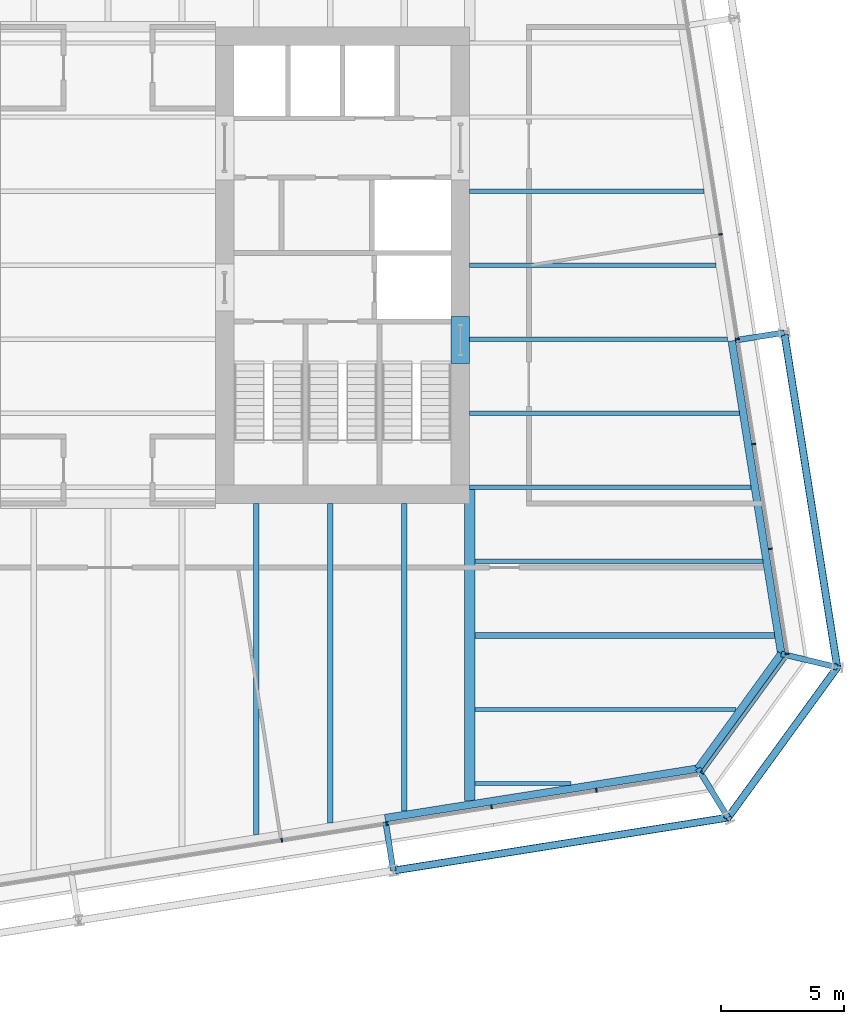
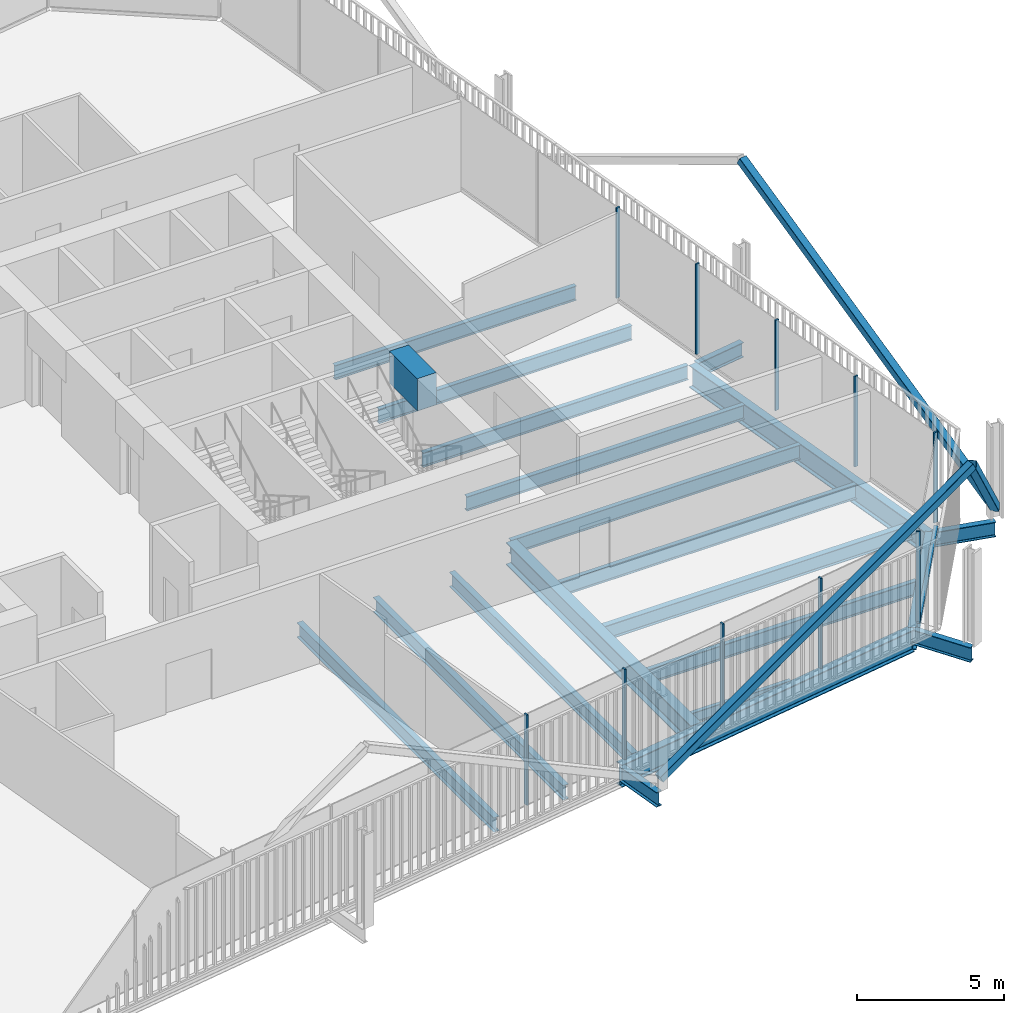
# One storey, part 8 of 22: 21 beams, 14 members, 3 elements without a shape of their own.
"""IFC4 building model written with IfcOpenShell, lengths in metres."""

import ifcopenshell
import ifcopenshell.guid

model = None  # the IFC model being written
_history = None  # IfcOwnerHistory: only IFC2X3 demands one
_inside = {}  # id of a spatial element -> (the spatial element, [elements in it])
_under = {}  # id of a project, library or spatial element -> (it, [spatial elements below it])
_declared = {}  # id of a project -> (the project, [libraries it declares])
_typed = {}  # id of a type object -> (the type object, [elements of that type])
_made_of = {}  # id of a material, layer set ... -> (it, [elements and type objects made of it])


def new_model(schema):
    """Start an empty IFC model of exactly this schema.

    Asked for "IFC4X3", IfcOpenShell would pick the latest addendum, in which some entities
    have other attributes; the version numbers below select the first issue.
    IFC2X3 requires an IfcOwnerHistory on every rooted entity: one is made here for all.
    """
    global model, _history
    if schema == "IFC4X3":
        model = ifcopenshell.file(schema_version=(4, 3, 0, 0))
    else:
        model = ifcopenshell.file(schema=schema)
    _inside.clear()
    _under.clear()
    _declared.clear()
    _typed.clear()
    _made_of.clear()
    _history = None
    if model.schema == "IFC2X3":
        org = make("IfcOrganization", Name="unknown")
        user = make(
            "IfcPersonAndOrganization",
            ThePerson=make("IfcPerson", FamilyName="unknown"),
            TheOrganization=org,
        )
        app = make(
            "IfcApplication",
            ApplicationDeveloper=org,
            Version="unknown",
            ApplicationFullName="unknown",
            ApplicationIdentifier="unknown",
        )
        _history = make(
            "IfcOwnerHistory",
            OwningUser=user,
            OwningApplication=app,
            ChangeAction="ADDED",
            CreationDate=0,
        )
    return model


def make(cls, **values):
    """One entity of the class cls with the attributes given. An attribute that is None is left unset."""
    return model.create_entity(
        cls, **{name: value for name, value in values.items() if value is not None}
    )


def rooted(cls, **values):
    """An entity with a GlobalId (a new one), such as an element, a storey or a relation."""
    return make(cls, GlobalId=ifcopenshell.guid.new(), OwnerHistory=_history, **values)


def si_unit(unit_type, name, prefix=None):
    """IfcSIUnit, for example si_unit("LENGTHUNIT", "METRE", prefix="MILLI")."""
    return make("IfcSIUnit", UnitType=unit_type, Prefix=prefix, Name=name)


def assignment(units):
    """IfcUnitAssignment: the units of a project."""
    return None if units is None else make("IfcUnitAssignment", Units=units)


def point(xyz):
    """IfcCartesianPoint."""
    return None if xyz is None else make("IfcCartesianPoint", Coordinates=xyz)


def direction(xyz):
    """IfcDirection."""
    return None if xyz is None else make("IfcDirection", DirectionRatios=xyz)


def frame(location, z_axis=None, x_axis=None):
    """IfcAxis2Placement3D, a coordinate frame: its origin and axes. An axis left out is left unset."""
    return make(
        "IfcAxis2Placement3D",
        Location=point(location),
        Axis=direction(z_axis),
        RefDirection=direction(x_axis),
    )


def frame_2d(location, x_axis=None):
    """IfcAxis2Placement2D, a coordinate frame in the plane: its origin and x axis."""
    return make(
        "IfcAxis2Placement2D", Location=point(location), RefDirection=direction(x_axis)
    )


def origin():
    """The frame at (0, 0, 0) with its axes left unset."""
    return frame((0.0, 0.0, 0.0))


def origin_2d():
    """The frame at (0, 0) in the plane with its x axis left unset."""
    return frame_2d((0.0, 0.0))


def place(relative_to, where):
    """IfcLocalPlacement: puts the frame where relative to a parent placement (None: the world)."""
    return make(
        "IfcLocalPlacement", PlacementRelTo=relative_to, RelativePlacement=where
    )


def context(
    kind, dimensions, precision=None, world=None, true_north=None, identifier=None
):
    """IfcGeometricRepresentationContext, for example the 3D "Model" context."""
    return make(
        "IfcGeometricRepresentationContext",
        ContextIdentifier=identifier,
        ContextType=kind,
        CoordinateSpaceDimension=dimensions,
        Precision=precision,
        WorldCoordinateSystem=world,
        TrueNorth=true_north,
    )


def subcontext(parent, identifier, kind, view, scale=None):
    """IfcGeometricRepresentationSubContext, for example "Body" below "Model"."""
    return make(
        "IfcGeometricRepresentationSubContext",
        ContextIdentifier=identifier,
        ContextType=kind,
        ParentContext=parent,
        TargetScale=scale,
        TargetView=view,
    )


def project(units=None, contexts=None):
    """IfcProject with its units and contexts."""
    return rooted(
        "IfcProject",
        Name="project",
        RepresentationContexts=contexts,
        UnitsInContext=assignment(units),
    )


def spatial(cls, under=None, at=None, **own):
    """A site, building, storey or space (cls), placed at a placement, below another one or the project."""
    s = rooted(cls, ObjectPlacement=at, **own)
    if under is not None:
        _under.setdefault(under.id(), (under, []))[1].append(s)
    return s


def profile(cls, at=None, kind="AREA", **sizes):
    """A parametric profile (cls). Its sizes go by their IFC names, for example OverallWidth=200.0."""
    return make(cls, ProfileType=kind, Position=at, **sizes)


def rectangle(**sizes):
    """IfcRectangleProfileDef."""
    return profile("IfcRectangleProfileDef", **sizes)


def hollow_rectangle(**sizes):
    """IfcRectangleHollowProfileDef."""
    return profile("IfcRectangleHollowProfileDef", **sizes)


def i_section(**sizes):
    """IfcIShapeProfileDef."""
    return profile("IfcIShapeProfileDef", **sizes)


def extrude(swept, where, along, depth):
    """IfcExtrudedAreaSolid: the profile swept, set in the frame where, extruded along a direction by depth."""
    return make(
        "IfcExtrudedAreaSolid",
        SweptArea=swept,
        Position=where,
        ExtrudedDirection=direction(along),
        Depth=depth,
    )


def shape(context_of_items, identifier, shape_type, items):
    """IfcShapeRepresentation: the items that make up one representation, for example the "Body"."""
    return make(
        "IfcShapeRepresentation",
        ContextOfItems=context_of_items,
        RepresentationIdentifier=identifier,
        RepresentationType=shape_type,
        Items=items,
    )


def material(Name=None, Category=None):
    """IfcMaterial."""
    return make("IfcMaterial", Name=Name, Category=Category)


def layer(
    of_material, thickness, ventilated=None, Name=None, Category=None, Priority=None
):
    """IfcMaterialLayer: one layer of a wall or slab, of a material (None: an air gap)."""
    return make(
        "IfcMaterialLayer",
        Material=of_material,
        LayerThickness=thickness,
        IsVentilated=ventilated,
        Name=Name,
        Category=Category,
        Priority=Priority,
    )


def layer_set(layers, Name=None):
    """IfcMaterialLayerSet."""
    return make("IfcMaterialLayerSet", MaterialLayers=layers, LayerSetName=Name)


def material_profile(
    of_material, cross_section, Name=None, Category=None, Priority=None
):
    """IfcMaterialProfile: a cross section and its material."""
    return make(
        "IfcMaterialProfile",
        Name=Name,
        Material=of_material,
        Profile=cross_section,
        Priority=Priority,
        Category=Category,
    )


def profile_set(profiles, Name=None, composite=None):
    """IfcMaterialProfileSet."""
    return make(
        "IfcMaterialProfileSet",
        Name=Name,
        MaterialProfiles=profiles,
        CompositeProfile=composite,
    )


def made_of(thing, what):
    """Note that an element or type object is made of a material, layer set ...; save() writes the relation."""
    if what is not None:
        _made_of.setdefault(what.id(), (what, []))[1].append(thing)
    return thing


def type_object(cls, material=None, **own):
    """A type object (cls), such as IfcWallType, which elements share."""
    return made_of(rooted(cls, **own), material)


def element(
    cls,
    number,
    at=None,
    inside=None,
    cuts=None,
    type_object=None,
    material=None,
    context=None,
    identifier="Body",
    shape_type=None,
    held_by="IfcProductDefinitionShape",
    body=None,
    shapes=None,
    **own,
):
    """One element of the class cls, such as IfcWall. Its Tag is "e" and its number.

    at: its placement. inside: the storey or other place that contains it. cuts: it is an
    opening in that element (IfcRelVoidsElement). A single representation is given by context,
    identifier, shape_type and body (its items); several are given by shapes. held_by: the class
    of the entity that holds the representations. save() writes the other relations.
    """
    e = rooted(cls, Tag="e%d" % number, ObjectPlacement=at, **own)
    if body is not None:
        shapes = [shape(context, identifier, shape_type, body)]
    if shapes is not None:
        e.Representation = make(held_by, Representations=shapes)
    if inside is not None:
        _inside.setdefault(inside.id(), (inside, []))[1].append(e)
    if cuts is not None:
        rooted(
            "IfcRelVoidsElement", RelatingBuildingElement=cuts, RelatedOpeningElement=e
        )
    if type_object is not None:
        _typed.setdefault(type_object.id(), (type_object, []))[1].append(e)
    return made_of(e, material)


def aggregate(whole, parts):
    """IfcRelAggregates: a whole, such as a stair, and the parts it consists of."""
    return rooted("IfcRelAggregates", RelatingObject=whole, RelatedObjects=parts)


def save(model, path):
    """Write the relations noted so far, then the file.

    IfcRelAggregates (storeys below a building ...), IfcRelContainedInSpatialStructure (elements
    in a storey), IfcRelDefinesByType, IfcRelAssociatesMaterial and IfcRelDeclares: one each for
    every whole, place, type object, material and project.
    """
    for whole, parts in _under.values():
        aggregate(whole, parts)
    for where, things in _inside.values():
        rooted(
            "IfcRelContainedInSpatialStructure",
            RelatedElements=things,
            RelatingStructure=where,
        )
    for kind, things in _typed.values():
        rooted("IfcRelDefinesByType", RelatedObjects=things, RelatingType=kind)
    for what, things in _made_of.values():
        rooted("IfcRelAssociatesMaterial", RelatedObjects=things, RelatingMaterial=what)
    for by, libraries in _declared.values():
        rooted("IfcRelDeclares", RelatingContext=by, RelatedDefinitions=libraries)
    model.write(path)


model = new_model("IFC4")

# Units and contexts
model_context = context("Model", 3, precision=1e-05, world=origin(), true_north=direction((0.0, 1.0)))
body_context = subcontext(model_context, "Body", "Model", "MODEL_VIEW")
ifc_project = project(units=[si_unit("LENGTHUNIT", "METRE"), si_unit("AREAUNIT", "SQUARE_METRE"), si_unit("VOLUMEUNIT", "CUBIC_METRE"), si_unit("PLANEANGLEUNIT", "RADIAN"), si_unit("MASSUNIT", "GRAM", prefix="KILO")], contexts=[model_context])

# Site, building, storey
site_placement = place(None, origin())
site = spatial("IfcSite", under=ifc_project, at=site_placement, CompositionType="ELEMENT")
building_placement = place(site_placement, origin())
building = spatial("IfcBuilding", under=site, at=building_placement, Name="Millrace Tower", CompositionType="ELEMENT")
storey_placement = place(building_placement, frame((0.0, 0.0, 187.800048828125)))
storey = spatial("IfcBuildingStorey", under=building, at=storey_placement, Name="L42", CompositionType="ELEMENT", Elevation=187.800048828125)

# Curtain wall, members
ifc_material_1 = material(Name="Aluminium and glass", Category="aluminium")
ifc_layer = layer(ifc_material_1, 0.14990234375)
ifc_layer_set = layer_set([ifc_layer], Name="Aluminium and glass")
curtain_wall_type = type_object("IfcCurtainWallType", Name="CW-1 office vision curtain wall", PredefinedType="NOTDEFINED", material=ifc_layer_set)
placement = place(storey_placement, origin())
curtain_wall_1 = element("IfcCurtainWall", 1, at=placement, inside=storey, type_object=curtain_wall_type, Name="Curtain wall C-F02 L42", PredefinedType="NOTDEFINED")
ifc_material_2 = material(Name="Aluminium", Category="aluminium")
ifc_material_profile_1 = material_profile(ifc_material_2, rectangle(XDim=0.06494140625, YDim=0.14990234375, at=origin_2d()))
ifc_profile_set_1 = profile_set([ifc_material_profile_1], Name="Aluminium")
member_type_1 = type_object("IfcMemberType", Name="CW-1 office vision curtain wall mullion", PredefinedType="MULLION", material=ifc_profile_set_1)
member_1_placement = place(storey_placement, frame((7.04345703125, -23.293212890625, 0.139892578125), z_axis=(0.0, 0.0, 1.0), x_axis=(0.98768833929, 0.15643447328, 0.0)))
member_1 = element("IfcMember", 2, at=member_1_placement, type_object=member_type_1, Name="CW1 mullion C-F02.6", PredefinedType="MULLION", context=body_context, shape_type="SweptSolid", body=[
    extrude(rectangle(XDim=0.06494140625, YDim=0.14990234375, at=origin_2d()), origin(), (0.0, 0.0, 1.0), 3.760009765625),
])
member_2_placement = place(storey_placement, frame((11.29052734375, -22.62060546875, 0.139892578125), z_axis=(0.0, 0.0, 1.0), x_axis=(0.98768833929, 0.15643447328, 0.0)))
member_2 = element("IfcMember", 3, at=member_2_placement, type_object=member_type_1, Name="CW1 mullion C-F02.7", PredefinedType="MULLION", context=body_context, shape_type="SweptSolid", body=[
    extrude(rectangle(XDim=0.06494140625, YDim=0.14990234375, at=origin_2d()), origin(), (0.0, 0.0, 1.0), 3.760009765625),
])
member_3_placement = place(storey_placement, frame((15.53759765625, -21.947998046875, 0.139892578125), z_axis=(0.0, 0.0, 1.0), x_axis=(0.98768833929, 0.15643447328, 0.0)))
member_3 = element("IfcMember", 4, at=member_3_placement, type_object=member_type_1, Name="CW1 mullion C-F02.8", PredefinedType="MULLION", context=body_context, shape_type="SweptSolid", body=[
    extrude(rectangle(XDim=0.06494140625, YDim=0.14990234375, at=origin_2d()), origin(), (0.0, 0.0, 1.0), 3.760009765625),
])
member_4_placement = place(storey_placement, frame((19.78466796875, -21.275390625, 0.139892578125), z_axis=(0.0, 0.0, 1.0), x_axis=(0.98768833929, 0.15643447328, 0.0)))
member_4 = element("IfcMember", 5, at=member_4_placement, type_object=member_type_1, Name="CW1 mullion C-F02.9", PredefinedType="MULLION", context=body_context, shape_type="SweptSolid", body=[
    extrude(rectangle(XDim=0.06494140625, YDim=0.14990234375, at=origin_2d()), origin(), (0.0, 0.0, 1.0), 3.760009765625),
])
aggregate(curtain_wall_1, [member_1, member_2, member_3, member_4])

# Curtain wall, member
curtain_wall_2 = element("IfcCurtainWall", 6, at=placement, inside=storey, type_object=curtain_wall_type, Name="Curtain wall C-F03 L42", PredefinedType="NOTDEFINED")
member_5_placement = place(storey_placement, frame((24.06787109375, -20.551513671875, 0.139892578125), z_axis=(0.0, 0.0, 1.0), x_axis=(0.587785269844, 0.809016981623, 0.0)))
member_5 = element("IfcMember", 7, at=member_5_placement, type_object=member_type_1, Name="CW1 mullion C-F03.1", PredefinedType="MULLION", context=body_context, shape_type="SweptSolid", body=[
    extrude(rectangle(XDim=0.06494140625, YDim=0.14990234375, at=origin_2d()), origin(), (0.0, 0.0, 1.0), 3.760009765625),
])

# Curtain wall, members
curtain_wall_3 = element("IfcCurtainWall", 8, at=placement, inside=storey, type_object=curtain_wall_type, Name="Curtain wall C-F04 L42", PredefinedType="NOTDEFINED")
member_6_placement = place(storey_placement, frame((27.506591796875, -15.74169921875, 0.139892578125), z_axis=(0.0, 0.0, 1.0), x_axis=(-0.15643447328, 0.98768833929, 0.0)))
member_6 = element("IfcMember", 9, at=member_6_placement, type_object=member_type_1, Name="CW1 mullion C-F04.1", PredefinedType="MULLION", context=body_context, shape_type="SweptSolid", body=[
    extrude(rectangle(XDim=0.06494140625, YDim=0.14990234375, at=origin_2d()), origin(), (0.0, 0.0, 1.0), 3.760009765625),
])
member_7_placement = place(storey_placement, frame((26.833984375, -11.49462890625, 0.139892578125), z_axis=(0.0, 0.0, 1.0), x_axis=(-0.15643447328, 0.98768833929, 0.0)))
member_7 = element("IfcMember", 10, at=member_7_placement, type_object=member_type_1, Name="CW1 mullion C-F04.2", PredefinedType="MULLION", context=body_context, shape_type="SweptSolid", body=[
    extrude(rectangle(XDim=0.06494140625, YDim=0.14990234375, at=origin_2d()), origin(), (0.0, 0.0, 1.0), 3.760009765625),
])
member_8_placement = place(storey_placement, frame((26.161376953125, -7.24755859375, 0.139892578125), z_axis=(0.0, 0.0, 1.0), x_axis=(-0.15643447328, 0.98768833929, 0.0)))
member_8 = element("IfcMember", 11, at=member_8_placement, type_object=member_type_1, Name="CW1 mullion C-F04.3", PredefinedType="MULLION", context=body_context, shape_type="SweptSolid", body=[
    extrude(rectangle(XDim=0.06494140625, YDim=0.14990234375, at=origin_2d()), origin(), (0.0, 0.0, 1.0), 3.760009765625),
])
member_9_placement = place(storey_placement, frame((25.48876953125, -3.00048828125, 0.139892578125), z_axis=(0.0, 0.0, 1.0), x_axis=(-0.15643447328, 0.98768833929, 0.0)))
member_9 = element("IfcMember", 12, at=member_9_placement, type_object=member_type_1, Name="CW1 mullion C-F04.4", PredefinedType="MULLION", context=body_context, shape_type="SweptSolid", body=[
    extrude(rectangle(XDim=0.06494140625, YDim=0.14990234375, at=origin_2d()), origin(), (0.0, 0.0, 1.0), 3.760009765625),
])
member_10_placement = place(storey_placement, frame((24.81591796875, 1.24658203125, 0.139892578125), z_axis=(0.0, 0.0, 1.0), x_axis=(-0.15643447328, 0.98768833929, 0.0)))
member_10 = element("IfcMember", 13, at=member_10_placement, type_object=member_type_1, Name="CW1 mullion C-F04.5", PredefinedType="MULLION", context=body_context, shape_type="SweptSolid", body=[
    extrude(rectangle(XDim=0.06494140625, YDim=0.14990234375, at=origin_2d()), origin(), (0.0, 0.0, 1.0), 3.760009765625),
])
aggregate(curtain_wall_3, [member_6, member_7, member_8, member_9, member_10])

# Member
ifc_material_3 = material(Name="Aluminium", Category="aluminium")
ifc_material_profile_2 = material_profile(ifc_material_3, rectangle(XDim=0.14990234375, YDim=0.139892578125, at=origin_2d()))
ifc_profile_set_2 = profile_set([ifc_material_profile_2], Name="Aluminium")
member_type_2 = type_object("IfcMemberType", Name="CW-1 office vision curtain wall transom", PredefinedType="USERDEFINED", material=ifc_profile_set_2)
member_11_placement = place(storey_placement, frame((24.107421875, -20.496826171875, 0.070068359375), z_axis=(0.587810581339, 0.808998591139, 0.0), x_axis=(-0.808998591139, 0.587810581339, 0.0)))
member_11 = element("IfcMember", 14, at=member_11_placement, type_object=member_type_2, Name="CW1 transom C-F03.1", ObjectType="TRANSOM", PredefinedType="USERDEFINED", context=body_context, shape_type="SweptSolid", body=[
    extrude(rectangle(XDim=0.14990234375, YDim=0.139892578125, at=origin_2d()), origin(), (0.0, 0.0, 1.0), 5.6689453125),
])

aggregate(curtain_wall_2, [member_5, member_11])

# Beam
ifc_material_4 = material(Name="Concrete C70", Category="concrete")
ifc_material_profile_3 = material_profile(ifc_material_4, rectangle(XDim=0.75, YDim=1.340087890625, at=origin_2d()))
ifc_profile_set_3 = profile_set([ifc_material_profile_3], Name="Concrete C70")
beam_type_1 = type_object("IfcBeamType", Name="Coupling beam 750 x 1340 Concrete C70, 1300 opening", PredefinedType="BEAM", material=ifc_profile_set_3)
beam_1_placement = place(storey_placement, frame((14.27490234375, -2.080078125, 3.070068359375), z_axis=(0.0, -1.0, 0.0), x_axis=(1.0, 0.0, 0.0)))
element("IfcBeam", 15, at=beam_1_placement, inside=storey, type_object=beam_type_1, Name="Coupling beam E L42", PredefinedType="BEAM", context=body_context, shape_type="SweptSolid", body=[
    extrude(rectangle(XDim=0.75, YDim=1.340087890625, at=origin_2d()), origin(), (0.0, 0.0, 1.0), 1.89990234375),
])

# Members
ifc_material_5 = material(Name="Steel ASTM A500 Grade C", Category="steel")
ifc_material_profile_4 = material_profile(ifc_material_5, hollow_rectangle(XDim=0.3046875, YDim=0.3046875, WallThickness=0.0126953125, InnerFilletRadius=0.00634765625, OuterFilletRadius=0.01904296875, at=origin_2d()))
ifc_profile_set_4 = profile_set([ifc_material_profile_4], Name="Steel ASTM A500 Grade C")
member_type_3 = type_object("IfcMemberType", Name="Exoskeleton brace HSS12x12x1/2", PredefinedType="BRACE", material=ifc_profile_set_4)
member_12_placement = place(storey_placement, frame((11.5595703125, -24.527099609375, 0.39990234375), z_axis=(0.879908188937, 0.139368965396, 0.454244285078), x_axis=(-0.156440158434, 0.987687438833, 0.0)))
element("IfcMember", 16, at=member_12_placement, inside=storey, type_object=member_type_3, Name="BRC-C-L42-04", PredefinedType="BRACE", context=body_context, shape_type="SweptSolid", body=[
    extrude(hollow_rectangle(XDim=0.3046875, YDim=0.3046875, WallThickness=0.0126953125, InnerFilletRadius=0.00634765625, OuterFilletRadius=0.01904296875, at=origin_2d()), origin(), (0.0, 0.0, 1.0), 15.41015625),
])
member_13_placement = place(storey_placement, frame((29.542724609375, -16.291015625, 0.39990234375), z_axis=(-0.430395153162, -0.592372334541, 0.681069034243), x_axis=(0.809009551985, -0.587795495726, 0.0)))
element("IfcMember", 17, at=member_13_placement, inside=storey, type_object=member_type_3, Name="BRC-C-L42-05", PredefinedType="BRACE", context=body_context, shape_type="SweptSolid", body=[
    extrude(hollow_rectangle(XDim=0.3046875, YDim=0.3046875, WallThickness=0.0126953125, InnerFilletRadius=0.00634765625, OuterFilletRadius=0.01904296875, at=origin_2d()), origin(), (0.0, 0.0, 1.0), 10.278076171875),
])
member_14_placement = place(storey_placement, frame((29.542724609375, -16.291015625, 0.39990234375), z_axis=(-0.139368965396, 0.879908188937, 0.454244285078), x_axis=(-0.987687438833, -0.156440158434, 0.0)))
element("IfcMember", 18, at=member_14_placement, inside=storey, type_object=member_type_3, Name="BRC-C-L42-06", PredefinedType="BRACE", context=body_context, shape_type="SweptSolid", body=[
    extrude(hollow_rectangle(XDim=0.3046875, YDim=0.3046875, WallThickness=0.0126953125, InnerFilletRadius=0.00634765625, OuterFilletRadius=0.01904296875, at=origin_2d()), origin(), (0.0, 0.0, 1.0), 15.41015625),
])

# Beams
ifc_material_6 = material(Name="Steel ASTM A992 Grade 50", Category="steel")
ifc_material_profile_5 = material_profile(ifc_material_6, i_section(OverallWidth=0.15234375, OverallDepth=0.449462890625, WebThickness=0.007568359375, FlangeThickness=0.0107421875, FilletRadius=0.01025390625, at=origin_2d()))
ifc_profile_set_5 = profile_set([ifc_material_profile_5], Name="Steel ASTM A992 Grade 50")
beam_type_2 = type_object("IfcBeamType", Name="Floor beam W18x35", PredefinedType="JOIST", material=ifc_profile_set_5)
beam_2_placement = place(storey_placement, frame((14.859619140625, -21.0, -0.384765625), z_axis=(1.0, 0.0, 0.0), x_axis=(0.0, 1.0, 0.0)))
element("IfcBeam", 19, at=beam_2_placement, inside=storey, type_object=beam_type_2, Name="BM-C-L42-S1-S003", PredefinedType="JOIST", context=body_context, shape_type="SweptSolid", body=[
    extrude(i_section(OverallWidth=0.15234375, OverallDepth=0.449462890625, WebThickness=0.007568359375, FlangeThickness=0.0107421875, FilletRadius=0.01025390625, at=origin_2d()), origin(), (0.0, 0.0, 1.0), 3.9033203125),
])
ifc_material_7 = material(Name="Steel ASTM A992 Grade 50", Category="steel")
ifc_material_profile_6 = material_profile(ifc_material_7, i_section(OverallWidth=0.177978515625, OverallDepth=0.599365234375, WebThickness=0.010009765625, FlangeThickness=0.012939453125, FilletRadius=0.012939453125, at=origin_2d()))
ifc_profile_set_6 = profile_set([ifc_material_profile_6], Name="Steel ASTM A992 Grade 50")
beam_type_3 = type_object("IfcBeamType", Name="Floor beam W24x55", PredefinedType="JOIST", material=ifc_profile_set_6)
beam_3_placement = place(storey_placement, frame((14.64990234375, 0.0, -0.459716796875), z_axis=(1.0, 0.0, 0.0), x_axis=(0.0, 1.0, 0.0)))
element("IfcBeam", 20, at=beam_3_placement, inside=storey, type_object=beam_type_3, Name="BM-C-L42-S1-S021", PredefinedType="JOIST", context=body_context, shape_type="SweptSolid", body=[
    extrude(i_section(OverallWidth=0.177978515625, OverallDepth=0.599365234375, WebThickness=0.010009765625, FlangeThickness=0.012939453125, FilletRadius=0.012939453125, at=origin_2d()), origin(), (0.0, 0.0, 1.0), 9.976318359375),
])
beam_4_placement = place(storey_placement, frame((14.64990234375, 3.0, -0.459716796875), z_axis=(1.0, 0.0, 0.0), x_axis=(0.0, 1.0, 0.0)))
element("IfcBeam", 21, at=beam_4_placement, inside=storey, type_object=beam_type_3, Name="BM-C-L42-S1-S024", PredefinedType="JOIST", context=body_context, shape_type="SweptSolid", body=[
    extrude(i_section(OverallWidth=0.177978515625, OverallDepth=0.599365234375, WebThickness=0.010009765625, FlangeThickness=0.012939453125, FilletRadius=0.012939453125, at=origin_2d()), origin(), (0.0, 0.0, 1.0), 9.501220703125),
])
ifc_material_8 = material(Name="Steel ASTM A992 Grade 50", Category="steel")
ifc_material_profile_7 = material_profile(ifc_material_8, i_section(OverallWidth=0.1787109375, OverallDepth=0.60205078125, WebThickness=0.010986328125, FlangeThickness=0.014892578125, FilletRadius=0.0126953125, at=origin_2d()))
ifc_profile_set_7 = profile_set([ifc_material_profile_7], Name="Steel ASTM A992 Grade 50")
beam_type_4 = type_object("IfcBeamType", Name="Floor beam W24x62", PredefinedType="JOIST", material=ifc_profile_set_7)
beam_5_placement = place(storey_placement, frame((14.859619140625, -12.0, -0.4609375), z_axis=(1.0, 0.0, 0.0), x_axis=(0.0, 1.0, 0.0)))
element("IfcBeam", 22, at=beam_5_placement, inside=storey, type_object=beam_type_4, Name="BM-C-L42-S1-S009", PredefinedType="JOIST", context=body_context, shape_type="SweptSolid", body=[
    extrude(i_section(OverallWidth=0.1787109375, OverallDepth=0.60205078125, WebThickness=0.010986328125, FlangeThickness=0.014892578125, FilletRadius=0.0126953125, at=origin_2d()), origin(), (0.0, 0.0, 1.0), 11.667236328125),
])
beam_6_placement = place(storey_placement, frame((14.64990234375, -9.0, -0.4609375), z_axis=(1.0, 0.0, 0.0), x_axis=(0.0, 1.0, 0.0)))
element("IfcBeam", 23, at=beam_6_placement, inside=storey, type_object=beam_type_4, Name="BM-C-L42-S1-S012", PredefinedType="JOIST", context=body_context, shape_type="SweptSolid", body=[
    extrude(i_section(OverallWidth=0.1787109375, OverallDepth=0.60205078125, WebThickness=0.010986328125, FlangeThickness=0.014892578125, FilletRadius=0.0126953125, at=origin_2d()), origin(), (0.0, 0.0, 1.0), 11.40185546875),
])
beam_7_placement = place(storey_placement, frame((14.64990234375, -6.0, -0.4609375), z_axis=(1.0, 0.0, 0.0), x_axis=(0.0, 1.0, 0.0)))
element("IfcBeam", 24, at=beam_7_placement, inside=storey, type_object=beam_type_4, Name="BM-C-L42-S1-S015", PredefinedType="JOIST", context=body_context, shape_type="SweptSolid", body=[
    extrude(i_section(OverallWidth=0.1787109375, OverallDepth=0.60205078125, WebThickness=0.010986328125, FlangeThickness=0.014892578125, FilletRadius=0.0126953125, at=origin_2d()), origin(), (0.0, 0.0, 1.0), 10.9267578125),
])
beam_8_placement = place(storey_placement, frame((14.64990234375, -3.0, -0.4609375), z_axis=(1.0, 0.0, 0.0), x_axis=(0.0, 1.0, 0.0)))
element("IfcBeam", 25, at=beam_8_placement, inside=storey, type_object=beam_type_4, Name="BM-C-L42-S1-S018", PredefinedType="JOIST", context=body_context, shape_type="SweptSolid", body=[
    extrude(i_section(OverallWidth=0.1787109375, OverallDepth=0.60205078125, WebThickness=0.010986328125, FlangeThickness=0.014892578125, FilletRadius=0.0126953125, at=origin_2d()), origin(), (0.0, 0.0, 1.0), 10.45166015625),
])
beam_9_placement = place(storey_placement, frame((14.859619140625, -18.0, -0.4609375), z_axis=(1.0, 0.0, 0.0), x_axis=(0.0, 1.0, 0.0)))
element("IfcBeam", 26, at=beam_9_placement, inside=storey, type_object=beam_type_4, Name="BM-C-L42-S1-S005", PredefinedType="JOIST", context=body_context, shape_type="SweptSolid", body=[
    extrude(i_section(OverallWidth=0.1787109375, OverallDepth=0.60205078125, WebThickness=0.010986328125, FlangeThickness=0.014892578125, FilletRadius=0.0126953125, at=origin_2d()), origin(), (0.0, 0.0, 1.0), 10.577392578125),
])
ifc_material_9 = material(Name="Steel ASTM A992 Grade 50", Category="steel")
ifc_material_profile_8 = material_profile(ifc_material_9, i_section(OverallWidth=0.228271484375, OverallDepth=0.607177734375, WebThickness=0.01123046875, FlangeThickness=0.017333984375, FilletRadius=0.0126953125, at=origin_2d()))
ifc_profile_set_8 = profile_set([ifc_material_profile_8], Name="Steel ASTM A992 Grade 50")
beam_type_5 = type_object("IfcBeamType", Name="Floor beam W24x76", PredefinedType="JOIST", material=ifc_profile_set_8)
beam_10_placement = place(storey_placement, frame((14.859619140625, -15.0, -0.463623046875), z_axis=(1.0, 0.0, 0.0), x_axis=(0.0, 1.0, 0.0)))
element("IfcBeam", 27, at=beam_10_placement, inside=storey, type_object=beam_type_5, Name="BM-C-L42-S1-S007", PredefinedType="JOIST", context=body_context, shape_type="SweptSolid", body=[
    extrude(i_section(OverallWidth=0.228271484375, OverallDepth=0.607177734375, WebThickness=0.01123046875, FlangeThickness=0.017333984375, FilletRadius=0.0126953125, at=origin_2d()), origin(), (0.0, 0.0, 1.0), 12.142578125),
])
beam_11_placement = place(storey_placement, frame((6.0, -23.071533203125, -0.463623046875), z_axis=(0.0, 1.0, 0.0), x_axis=(-1.0, 0.0, 0.0)))
element("IfcBeam", 28, at=beam_11_placement, inside=storey, type_object=beam_type_5, Name="BM-C-L42-S1-S052", PredefinedType="JOIST", context=body_context, shape_type="SweptSolid", body=[
    extrude(i_section(OverallWidth=0.228271484375, OverallDepth=0.607177734375, WebThickness=0.01123046875, FlangeThickness=0.017333984375, FilletRadius=0.0126953125, at=origin_2d()), origin(), (0.0, 0.0, 1.0), 13.421630859375),
])
beam_12_placement = place(storey_placement, frame((9.0, -22.596435546875, -0.463623046875), z_axis=(0.0, 1.0, 0.0), x_axis=(-1.0, 0.0, 0.0)))
element("IfcBeam", 29, at=beam_12_placement, inside=storey, type_object=beam_type_5, Name="BM-C-L42-S1-S054", PredefinedType="JOIST", context=body_context, shape_type="SweptSolid", body=[
    extrude(i_section(OverallWidth=0.228271484375, OverallDepth=0.607177734375, WebThickness=0.01123046875, FlangeThickness=0.017333984375, FilletRadius=0.0126953125, at=origin_2d()), origin(), (0.0, 0.0, 1.0), 12.946533203125),
])
beam_13_placement = place(storey_placement, frame((12.0, -22.12109375, -0.463623046875), z_axis=(0.0, 1.0, 0.0), x_axis=(-1.0, 0.0, 0.0)))
element("IfcBeam", 30, at=beam_13_placement, inside=storey, type_object=beam_type_5, Name="BM-C-L42-S1-S056", PredefinedType="JOIST", context=body_context, shape_type="SweptSolid", body=[
    extrude(i_section(OverallWidth=0.228271484375, OverallDepth=0.607177734375, WebThickness=0.01123046875, FlangeThickness=0.017333984375, FilletRadius=0.0126953125, at=origin_2d()), origin(), (0.0, 0.0, 1.0), 12.47119140625),
])
ifc_material_10 = material(Name="Steel ASTM A992 Grade 50", Category="steel")
ifc_material_profile_9 = material_profile(ifc_material_10, i_section(OverallWidth=0.419189453125, OverallDepth=0.927001953125, WebThickness=0.019287109375, FlangeThickness=0.031982421875, FilletRadius=0.024169921875, at=origin_2d()))
ifc_profile_set_9 = profile_set([ifc_material_profile_9], Name="Steel ASTM A992 Grade 50")
beam_type_6 = type_object("IfcBeamType", Name="Girder medium span W36x231", PredefinedType="BEAM", material=ifc_profile_set_9)
beam_14_placement = place(storey_placement, frame((14.64990234375, -21.693603515625, -0.62353515625), z_axis=(0.0, 1.0, 0.0), x_axis=(-1.0, 0.0, 0.0)))
element("IfcBeam", 31, at=beam_14_placement, inside=storey, type_object=beam_type_6, Name="BM-C-L42-S1-G060", PredefinedType="BEAM", context=body_context, shape_type="SweptSolid", body=[
    extrude(i_section(OverallWidth=0.419189453125, OverallDepth=0.927001953125, WebThickness=0.019287109375, FlangeThickness=0.031982421875, FilletRadius=0.024169921875, at=origin_2d()), origin(), (0.0, 0.0, 1.0), 12.603515625),
])
ifc_material_11 = material(Name="Steel ASTM A992 Grade 50", Category="steel")
ifc_material_profile_10 = material_profile(ifc_material_11, i_section(OverallWidth=0.23046875, OverallDepth=0.6171875, WebThickness=0.01318359375, FlangeThickness=0.022216796875, FilletRadius=0.012939453125, at=origin_2d()))
ifc_profile_set_10 = profile_set([ifc_material_profile_10], Name="Steel ASTM A992 Grade 50")
beam_type_7 = type_object("IfcBeamType", Name="Link beam W24x94", PredefinedType="BEAM", material=ifc_profile_set_10)
beam_15_placement = place(storey_placement, frame((25.419677734375, -3.04443359375, -0.46875), z_axis=(0.987678691416, 0.156495375404, 0.0), x_axis=(-0.156495375404, 0.987678691416, 0.0)))
element("IfcBeam", 32, at=beam_15_placement, inside=storey, type_object=beam_type_7, Name="LNK-C-L42-S1-11", PredefinedType="BEAM", context=body_context, shape_type="SweptSolid", body=[
    extrude(i_section(OverallWidth=0.23046875, OverallDepth=0.6171875, WebThickness=0.01318359375, FlangeThickness=0.022216796875, FilletRadius=0.012939453125, at=origin_2d()), origin(), (0.0, 0.0, 1.0), 2.0),
])
beam_16_placement = place(storey_placement, frame((27.27587890625, -15.746826171875, -0.46875), z_axis=(0.972373041068, -0.233432364948, 0.0), x_axis=(0.233432364948, 0.972373041068, 0.0)))
element("IfcBeam", 33, at=beam_16_placement, inside=storey, type_object=beam_type_7, Name="LNK-C-L42-S1-12", PredefinedType="BEAM", context=body_context, shape_type="SweptSolid", body=[
    extrude(i_section(OverallWidth=0.23046875, OverallDepth=0.6171875, WebThickness=0.01318359375, FlangeThickness=0.022216796875, FilletRadius=0.012939453125, at=origin_2d()), origin(), (0.0, 0.0, 1.0), 2.331298828125),
])
beam_17_placement = place(storey_placement, frame((23.901123046875, -20.391845703125, -0.46875), z_axis=(0.522512938711, -0.852631355792, 0.0), x_axis=(0.852631355792, 0.522512938711, 0.0)))
element("IfcBeam", 34, at=beam_17_placement, inside=storey, type_object=beam_type_7, Name="LNK-C-L42-S1-13", PredefinedType="BEAM", context=body_context, shape_type="SweptSolid", body=[
    extrude(i_section(OverallWidth=0.23046875, OverallDepth=0.6171875, WebThickness=0.01318359375, FlangeThickness=0.022216796875, FilletRadius=0.012939453125, at=origin_2d()), origin(), (0.0, 0.0, 1.0), 2.3310546875),
])
beam_18_placement = place(storey_placement, frame((11.246826171875, -22.5517578125, -0.46875), z_axis=(0.15637629034, -0.987697552806, 0.0), x_axis=(0.987697552806, 0.15637629034, 0.0)))
element("IfcBeam", 35, at=beam_18_placement, inside=storey, type_object=beam_type_7, Name="LNK-C-L42-S1-14", PredefinedType="BEAM", context=body_context, shape_type="SweptSolid", body=[
    extrude(i_section(OverallWidth=0.23046875, OverallDepth=0.6171875, WebThickness=0.01318359375, FlangeThickness=0.022216796875, FilletRadius=0.012939453125, at=origin_2d()), origin(), (0.0, 0.0, 1.0), 2.0),
])
ifc_material_12 = material(Name="Steel ASTM A992 Grade 50", Category="steel")
ifc_material_profile_11 = material_profile(ifc_material_12, i_section(OverallWidth=0.307373046875, OverallDepth=0.927001953125, WebThickness=0.01953125, FlangeThickness=0.031982421875, FilletRadius=0.01904296875, at=origin_2d()))
ifc_profile_set_11 = profile_set([ifc_material_profile_11], Name="Steel ASTM A992 Grade 50")
beam_type_8 = type_object("IfcBeamType", Name="Ring beam medium span W36x194", PredefinedType="SPANDREL", material=ifc_profile_set_11)
for number, where, z_axis, x_axis, name in (
    (36, (25.267822265625, -3.068359375, -0.62353515625), (0.15643330783, -0.987688523879, 0.0), (0.987688523879, 0.15643330783, 0.0), "RNG-C-L42-S1-11"),
    (37, (23.901123046875, -20.391845703125, -0.62353515625), (-0.987688523879, -0.15643330783, 0.0), (0.15643330783, -0.987688523879, 0.0), "RNG-C-L42-S1-13"),
):
    element("IfcBeam", number, at=place(storey_placement, frame(where, z_axis=z_axis, x_axis=x_axis)), inside=storey, type_object=beam_type_8, Name=name, PredefinedType="SPANDREL", context=body_context, shape_type="SweptSolid", body=[
        extrude(i_section(OverallWidth=0.307373046875, OverallDepth=0.927001953125, WebThickness=0.01953125, FlangeThickness=0.031982421875, FilletRadius=0.01904296875, at=origin_2d()), origin(), (0.0, 0.0, 1.0), 12.83642578125),
    ])
ifc_material_13 = material(Name="Steel ASTM A992 Grade 50", Category="steel")
ifc_material_profile_12 = material_profile(ifc_material_13, i_section(OverallWidth=0.307373046875, OverallDepth=0.927001953125, WebThickness=0.01953125, FlangeThickness=0.031982421875, FilletRadius=0.01904296875, at=origin_2d()))
ifc_profile_set_12 = profile_set([ifc_material_profile_12], Name="Steel ASTM A992 Grade 50")
beam_type_9 = type_object("IfcBeamType", Name="Ring beam short span W36x194", PredefinedType="SPANDREL", material=ifc_profile_set_12)
beam_19_placement = place(storey_placement, frame((27.27587890625, -15.746826171875, -0.62353515625), z_axis=(-0.58777973792, -0.809021000772, 0.0), x_axis=(0.809021000772, -0.58777973792, 0.0)))
element("IfcBeam", 38, at=beam_19_placement, inside=storey, type_object=beam_type_9, Name="RNG-C-L42-S1-12", PredefinedType="SPANDREL", context=body_context, shape_type="SweptSolid", body=[
    extrude(i_section(OverallWidth=0.307373046875, OverallDepth=0.927001953125, WebThickness=0.01953125, FlangeThickness=0.031982421875, FilletRadius=0.01904296875, at=origin_2d()), origin(), (0.0, 0.0, 1.0), 5.741455078125),
])

save(model, "model.ifc")
